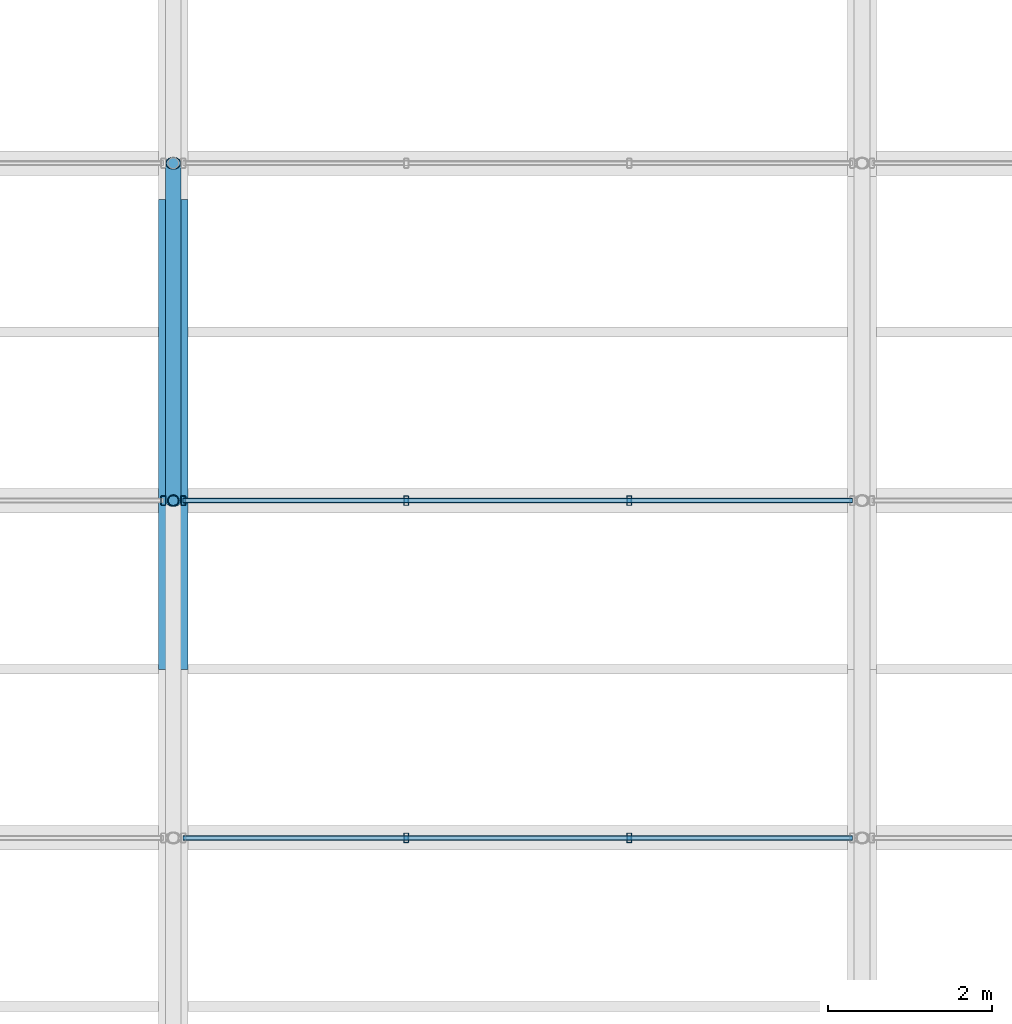
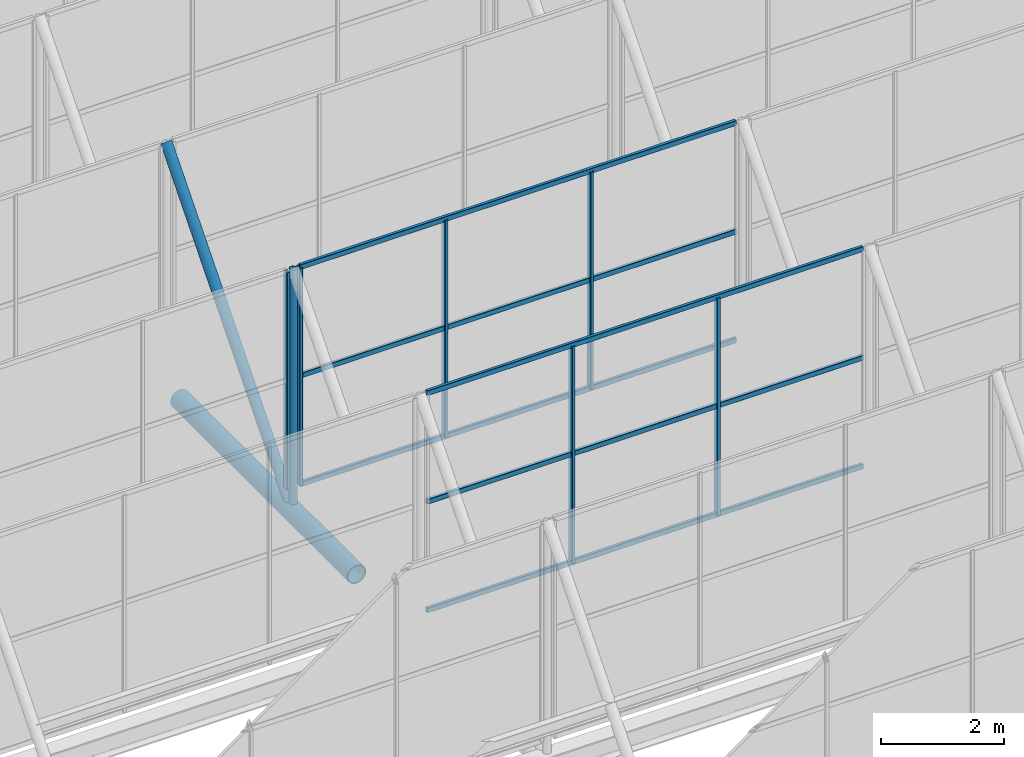
# One storey, part 17 of 77: 15 members, 3 elements without a shape of their own.
"""IFC4 building model written with IfcOpenShell, lengths in metres."""

from ifc_helpers import new_model, si_unit, derived_unit, direction, frame, origin, origin_2d, place, context, subcontext, project, spatial, hollow_rectangle, hollow_circle, extrude, material, material_profile, profile_set, type_object, element, aggregate, save


model = new_model("IFC4")

# Units and contexts
model_context = context("Model", 3, precision=1e-05, world=origin(), true_north=direction((0.0, 1.0)))
body_context = subcontext(model_context, "Body", "Model", "MODEL_VIEW")
ifc_project = project(units=[si_unit("LENGTHUNIT", "METRE"), si_unit("AREAUNIT", "SQUARE_METRE"), si_unit("VOLUMEUNIT", "CUBIC_METRE"), si_unit("PLANEANGLEUNIT", "RADIAN"), si_unit("MASSUNIT", "GRAM", prefix="KILO"), derived_unit("THERMALTRANSMITTANCEUNIT", [(si_unit("MASSUNIT", "GRAM", prefix="KILO"), 1), (si_unit("TIMEUNIT", "SECOND"), -3), (si_unit("THERMODYNAMICTEMPERATUREUNIT", "KELVIN"), -1)])], contexts=[model_context])

# Site, building, storey
site_placement = place(None, origin())
site = spatial("IfcSite", under=ifc_project, at=site_placement, CompositionType="ELEMENT")
building_placement = place(site_placement, origin())
building = spatial("IfcBuilding", under=site, at=building_placement, Name="Kharveza Railside Sports Centre", CompositionType="ELEMENT")
storey_placement = place(building_placement, frame((0.0, 0.0, 17.10009765625)))
storey = spatial("IfcBuildingStorey", under=building, at=storey_placement, Name="L04", CompositionType="ELEMENT", Elevation=17.10009765625)

# Curtain wall, members
ifc_material_1 = material(Name="Low-E solar-control laminated glass", Category="glass")
curtain_wall_type = type_object("IfcCurtainWallType", Name="CW-NL01", PredefinedType="NOTDEFINED", material=ifc_material_1)
curtain_wall_1_placement = place(storey_placement, origin())
curtain_wall_1 = element("IfcCurtainWall", 1, at=curtain_wall_1_placement, inside=storey, type_object=curtain_wall_type, Name="CW-V1NL-3-2", PredefinedType="NOTDEFINED")
ifc_material_2 = material(Name="Anodised aluminium 6063-T6", Category="aluminium")
ifc_material_profile_1 = material_profile(ifc_material_2, hollow_rectangle(XDim=0.06005859375, YDim=0.1201171875, WallThickness=0.0048828125, InnerFilletRadius=0.0048828125, OuterFilletRadius=0.010009765625, at=origin_2d()), Name="RHS 60x120x5.0")
ifc_profile_set_1 = profile_set([ifc_material_profile_1], Name="Anodised aluminium 6063-T6")
member_type_1 = type_object("IfcMemberType", Name="CW-ML05", PredefinedType="MULLION", material=ifc_profile_set_1)
member_1_placement = place(storey_placement, frame((44.840087890625, 48.343017578125, -0.550048828125), z_axis=(0.0, 0.0, 1.0), x_axis=(1.0, 0.0, 0.0)))
member_1 = element("IfcMember", 2, at=member_1_placement, type_object=member_type_1, Name="CW-V1NL-3-2-ML2", PredefinedType="MULLION", context=body_context, shape_type="SweptSolid", body=[
    extrude(hollow_rectangle(XDim=0.06005859375, YDim=0.1201171875, WallThickness=0.0048828125, InnerFilletRadius=0.0048828125, OuterFilletRadius=0.010009765625, at=origin_2d()), origin(), (0.0, 0.0, 1.0), 4.300048828125),
])
member_2_placement = place(storey_placement, frame((47.56005859375, 48.343017578125, -0.550048828125), z_axis=(0.0, 0.0, 1.0), x_axis=(1.0, 0.0, 0.0)))
member_2 = element("IfcMember", 3, at=member_2_placement, type_object=member_type_1, Name="CW-V1NL-3-2-ML3", PredefinedType="MULLION", context=body_context, shape_type="SweptSolid", body=[
    extrude(hollow_rectangle(XDim=0.06005859375, YDim=0.1201171875, WallThickness=0.0048828125, InnerFilletRadius=0.0048828125, OuterFilletRadius=0.010009765625, at=origin_2d()), origin(), (0.0, 0.0, 1.0), 4.300048828125),
])

# Curtain wall, member
curtain_wall_2_placement = place(storey_placement, origin())
curtain_wall_2 = element("IfcCurtainWall", 4, at=curtain_wall_2_placement, inside=storey, type_object=curtain_wall_type, Name="CW-V1NL-4-1", PredefinedType="NOTDEFINED")
member_3_placement = place(storey_placement, frame((41.8798828125, 52.45703125, -0.550048828125), z_axis=(0.0, 0.0, 1.0), x_axis=(1.0, 0.0, 0.0)))
member_3 = element("IfcMember", 5, at=member_3_placement, type_object=member_type_1, Name="CW-V1NL-4-1-ML4", PredefinedType="MULLION", context=body_context, shape_type="SweptSolid", body=[
    extrude(hollow_rectangle(XDim=0.06005859375, YDim=0.1201171875, WallThickness=0.0048828125, InnerFilletRadius=0.0048828125, OuterFilletRadius=0.010009765625, at=origin_2d()), origin(), (0.0, 0.0, 1.0), 4.300048828125),
])
aggregate(curtain_wall_2, [member_3])

# Curtain wall, members
curtain_wall_3_placement = place(storey_placement, origin())
curtain_wall_3 = element("IfcCurtainWall", 6, at=curtain_wall_3_placement, inside=storey, type_object=curtain_wall_type, Name="CW-V1NL-4-2", PredefinedType="NOTDEFINED")
member_4_placement = place(storey_placement, frame((42.1201171875, 52.45703125, -0.550048828125), z_axis=(0.0, 0.0, 1.0), x_axis=(1.0, 0.0, 0.0)))
member_4 = element("IfcMember", 7, at=member_4_placement, type_object=member_type_1, Name="CW-V1NL-4-2-ML1", PredefinedType="MULLION", context=body_context, shape_type="SweptSolid", body=[
    extrude(hollow_rectangle(XDim=0.06005859375, YDim=0.1201171875, WallThickness=0.0048828125, InnerFilletRadius=0.0048828125, OuterFilletRadius=0.010009765625, at=origin_2d()), origin(), (0.0, 0.0, 1.0), 4.300048828125),
])
member_5_placement = place(storey_placement, frame((44.840087890625, 52.45703125, -0.550048828125), z_axis=(0.0, 0.0, 1.0), x_axis=(1.0, 0.0, 0.0)))
member_5 = element("IfcMember", 8, at=member_5_placement, type_object=member_type_1, Name="CW-V1NL-4-2-ML2", PredefinedType="MULLION", context=body_context, shape_type="SweptSolid", body=[
    extrude(hollow_rectangle(XDim=0.06005859375, YDim=0.1201171875, WallThickness=0.0048828125, InnerFilletRadius=0.0048828125, OuterFilletRadius=0.010009765625, at=origin_2d()), origin(), (0.0, 0.0, 1.0), 4.300048828125),
])
member_6_placement = place(storey_placement, frame((47.56005859375, 52.45703125, -0.550048828125), z_axis=(0.0, 0.0, 1.0), x_axis=(1.0, 0.0, 0.0)))
member_6 = element("IfcMember", 9, at=member_6_placement, type_object=member_type_1, Name="CW-V1NL-4-2-ML3", PredefinedType="MULLION", context=body_context, shape_type="SweptSolid", body=[
    extrude(hollow_rectangle(XDim=0.06005859375, YDim=0.1201171875, WallThickness=0.0048828125, InnerFilletRadius=0.0048828125, OuterFilletRadius=0.010009765625, at=origin_2d()), origin(), (0.0, 0.0, 1.0), 4.300048828125),
])

# Member
ifc_material_profile_2 = material_profile(ifc_material_2, hollow_rectangle(XDim=0.06005859375, YDim=0.10009765625, WallThickness=0.00390625, InnerFilletRadius=0.00390625, OuterFilletRadius=0.008056640625, at=origin_2d()), Name="RHS 60x100x4.0")
ifc_profile_set_2 = profile_set([ifc_material_profile_2], Name="Anodised aluminium 6063-T6")
member_type_2 = type_object("IfcMemberType", Name="CW-TR05", PredefinedType="USERDEFINED", material=ifc_profile_set_2)
member_7_placement = place(storey_placement, frame((42.1201171875, 48.343017578125, -0.550048828125), z_axis=(1.0, 0.0, 0.0), x_axis=(0.0, 1.0, 0.0)))
member_7 = element("IfcMember", 10, at=member_7_placement, type_object=member_type_2, Name="CW-V1NL-3-2-TR1", ObjectType="TRANSOM", PredefinedType="USERDEFINED", context=body_context, shape_type="SweptSolid", body=[
    extrude(hollow_rectangle(XDim=0.06005859375, YDim=0.10009765625, WallThickness=0.00390625, InnerFilletRadius=0.00390625, OuterFilletRadius=0.008056640625, at=origin_2d()), origin(), (0.0, 0.0, 1.0), 8.159912109375),
])

member_8_placement = place(storey_placement, frame((42.1201171875, 48.343017578125, 1.599853515625), z_axis=(1.0, 0.0, 0.0), x_axis=(0.0, 1.0, 0.0)))
member_8 = element("IfcMember", 11, at=member_8_placement, type_object=member_type_2, Name="CW-V1NL-3-2-TR2", ObjectType="TRANSOM", PredefinedType="USERDEFINED", context=body_context, shape_type="SweptSolid", body=[
    extrude(hollow_rectangle(XDim=0.06005859375, YDim=0.10009765625, WallThickness=0.00390625, InnerFilletRadius=0.00390625, OuterFilletRadius=0.008056640625, at=origin_2d()), origin(), (0.0, 0.0, 1.0), 8.159912109375),
])

member_9_placement = place(storey_placement, frame((42.1201171875, 48.343017578125, 3.75), z_axis=(1.0, 0.0, 0.0), x_axis=(0.0, 1.0, 0.0)))
member_9 = element("IfcMember", 12, at=member_9_placement, type_object=member_type_2, Name="CW-V1NL-3-2-TR3", ObjectType="TRANSOM", PredefinedType="USERDEFINED", context=body_context, shape_type="SweptSolid", body=[
    extrude(hollow_rectangle(XDim=0.06005859375, YDim=0.10009765625, WallThickness=0.00390625, InnerFilletRadius=0.00390625, OuterFilletRadius=0.008056640625, at=origin_2d()), origin(), (0.0, 0.0, 1.0), 8.159912109375),
])

aggregate(curtain_wall_1, [member_1, member_2, member_7, member_8, member_9])

member_10_placement = place(storey_placement, frame((42.1201171875, 52.45703125, -0.550048828125), z_axis=(1.0, 0.0, 0.0), x_axis=(0.0, 1.0, 0.0)))
member_10 = element("IfcMember", 13, at=member_10_placement, type_object=member_type_2, Name="CW-V1NL-4-2-TR1", ObjectType="TRANSOM", PredefinedType="USERDEFINED", context=body_context, shape_type="SweptSolid", body=[
    extrude(hollow_rectangle(XDim=0.06005859375, YDim=0.10009765625, WallThickness=0.00390625, InnerFilletRadius=0.00390625, OuterFilletRadius=0.008056640625, at=origin_2d()), origin(), (0.0, 0.0, 1.0), 8.159912109375),
])

member_11_placement = place(storey_placement, frame((42.1201171875, 52.45703125, 1.599853515625), z_axis=(1.0, 0.0, 0.0), x_axis=(0.0, 1.0, 0.0)))
member_11 = element("IfcMember", 14, at=member_11_placement, type_object=member_type_2, Name="CW-V1NL-4-2-TR2", ObjectType="TRANSOM", PredefinedType="USERDEFINED", context=body_context, shape_type="SweptSolid", body=[
    extrude(hollow_rectangle(XDim=0.06005859375, YDim=0.10009765625, WallThickness=0.00390625, InnerFilletRadius=0.00390625, OuterFilletRadius=0.008056640625, at=origin_2d()), origin(), (0.0, 0.0, 1.0), 8.159912109375),
])

member_12_placement = place(storey_placement, frame((42.1201171875, 52.45703125, 3.75), z_axis=(1.0, 0.0, 0.0), x_axis=(0.0, 1.0, 0.0)))
member_12 = element("IfcMember", 15, at=member_12_placement, type_object=member_type_2, Name="CW-V1NL-4-2-TR3", ObjectType="TRANSOM", PredefinedType="USERDEFINED", context=body_context, shape_type="SweptSolid", body=[
    extrude(hollow_rectangle(XDim=0.06005859375, YDim=0.10009765625, WallThickness=0.00390625, InnerFilletRadius=0.00390625, OuterFilletRadius=0.008056640625, at=origin_2d()), origin(), (0.0, 0.0, 1.0), 8.159912109375),
])

aggregate(curtain_wall_3, [member_4, member_5, member_6, member_10, member_11, member_12])

# Members
ifc_material_3 = material(Name="Steel S355J2", Category="steel")
ifc_material_profile_3 = material_profile(ifc_material_3, hollow_circle(Radius=0.177734375, WallThickness=0.01611328125, at=origin_2d()), Name="CHS 355.6x16.0")
ifc_profile_set_3 = profile_set([ifc_material_profile_3], Name="Steel S355J2")
member_type_3 = type_object("IfcMemberType", Name="MB-CH01", PredefinedType="CHORD", material=ifc_profile_set_3)
member_13_placement = place(storey_placement, frame((42.0, 50.39990234375, -1.050048828125), z_axis=(0.0, 1.0, 0.0), x_axis=(-1.0, 0.0, 0.0)))
element("IfcMember", 16, at=member_13_placement, inside=storey, type_object=member_type_3, Name="MB-V1TR-TC-2-5", PredefinedType="CHORD", context=body_context, shape_type="SweptSolid", body=[
    extrude(hollow_circle(Radius=0.177734375, WallThickness=0.01611328125, at=origin_2d()), origin(), (0.0, 0.0, 1.0), 5.72900390625),
])
ifc_material_profile_4 = material_profile(ifc_material_3, hollow_circle(Radius=0.096923828125, WallThickness=0.010009765625, at=origin_2d()), Name="CHS 193.7x10.0")
ifc_profile_set_4 = profile_set([ifc_material_profile_4], Name="Steel S355J2")
member_type_4 = type_object("IfcMemberType", Name="MB-ST02", PredefinedType="STRUT", material=ifc_profile_set_4)
member_14_placement = place(storey_placement, frame((42.0, 52.45703125, -1.050048828125), z_axis=(0.0, 0.650003261435, 0.759931418039), x_axis=(-1.0, 0.0, 0.0)))
element("IfcMember", 17, at=member_14_placement, inside=storey, type_object=member_type_4, Name="MB-V1SAW-RFT-5-2", PredefinedType="STRUT", context=body_context, shape_type="SweptSolid", body=[
    extrude(hollow_circle(Radius=0.096923828125, WallThickness=0.010009765625, at=origin_2d()), origin(), (0.0, 0.0, 1.0), 6.32958984375),
])
ifc_material_profile_5 = material_profile(ifc_material_3, hollow_circle(Radius=0.06982421875, WallThickness=0.008056640625, at=origin_2d()), Name="CHS 139.7x8.0")
ifc_profile_set_5 = profile_set([ifc_material_profile_5], Name="Steel S355J2")
member_type_5 = type_object("IfcMemberType", Name="MB-ST04", PredefinedType="STRUT", material=ifc_profile_set_5)
member_15_placement = place(storey_placement, frame((42.0, 52.45703125, -1.050048828125), z_axis=(0.0, 0.0, 1.0), x_axis=(1.0, 0.0, 0.0)))
element("IfcMember", 18, at=member_15_placement, inside=storey, type_object=member_type_5, Name="MB-V1SAW-PST-4-2", PredefinedType="STRUT", context=body_context, shape_type="SweptSolid", body=[
    extrude(hollow_circle(Radius=0.06982421875, WallThickness=0.008056640625, at=origin_2d()), origin(), (0.0, 0.0, 1.0), 4.81005859375),
])

save(model, "model.ifc")
